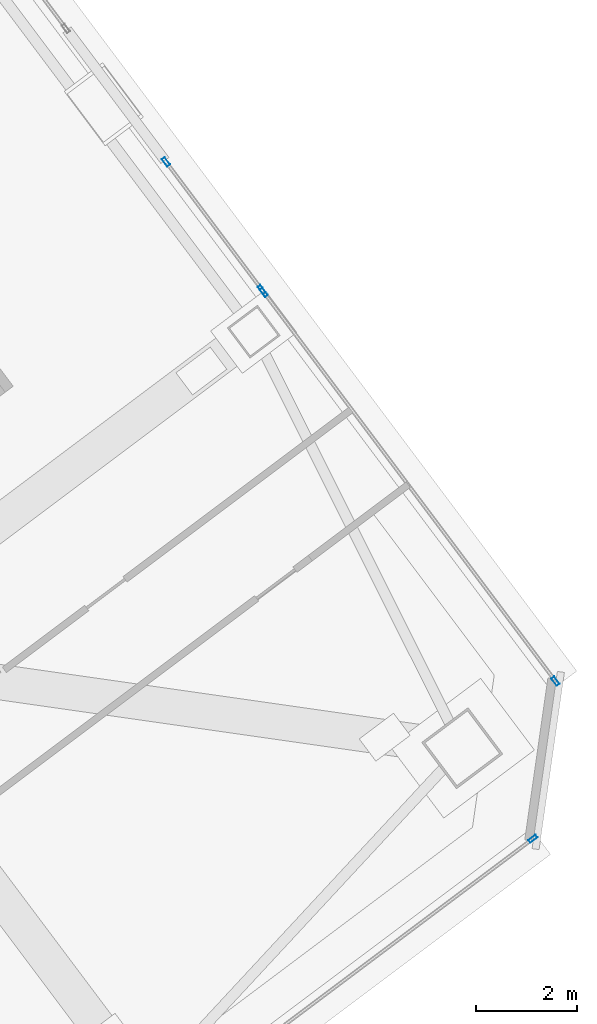
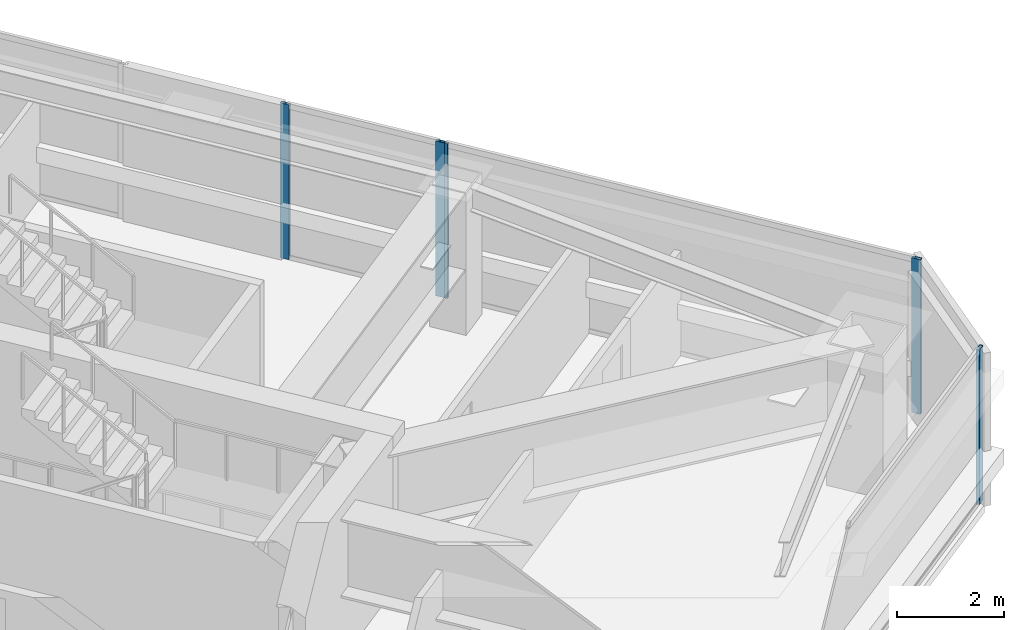
# One storey, part 26 of 42: 5 members, 3 elements without a shape of their own.
"""IFC4 building model written with IfcOpenShell, lengths in metres."""

import ifcopenshell
import ifcopenshell.guid

model = None  # the IFC model being written
_history = None  # IfcOwnerHistory: only IFC2X3 demands one
_inside = {}  # id of a spatial element -> (the spatial element, [elements in it])
_under = {}  # id of a project, library or spatial element -> (it, [spatial elements below it])
_declared = {}  # id of a project -> (the project, [libraries it declares])
_typed = {}  # id of a type object -> (the type object, [elements of that type])
_made_of = {}  # id of a material, layer set ... -> (it, [elements and type objects made of it])


def new_model(schema):
    """Start an empty IFC model of exactly this schema.

    Asked for "IFC4X3", IfcOpenShell would pick the latest addendum, in which some entities
    have other attributes; the version numbers below select the first issue.
    IFC2X3 requires an IfcOwnerHistory on every rooted entity: one is made here for all.
    """
    global model, _history
    if schema == "IFC4X3":
        model = ifcopenshell.file(schema_version=(4, 3, 0, 0))
    else:
        model = ifcopenshell.file(schema=schema)
    _inside.clear()
    _under.clear()
    _declared.clear()
    _typed.clear()
    _made_of.clear()
    _history = None
    if model.schema == "IFC2X3":
        org = make("IfcOrganization", Name="unknown")
        user = make(
            "IfcPersonAndOrganization",
            ThePerson=make("IfcPerson", FamilyName="unknown"),
            TheOrganization=org,
        )
        app = make(
            "IfcApplication",
            ApplicationDeveloper=org,
            Version="unknown",
            ApplicationFullName="unknown",
            ApplicationIdentifier="unknown",
        )
        _history = make(
            "IfcOwnerHistory",
            OwningUser=user,
            OwningApplication=app,
            ChangeAction="ADDED",
            CreationDate=0,
        )
    return model


def make(cls, **values):
    """One entity of the class cls with the attributes given. An attribute that is None is left unset."""
    return model.create_entity(
        cls, **{name: value for name, value in values.items() if value is not None}
    )


def rooted(cls, **values):
    """An entity with a GlobalId (a new one), such as an element, a storey or a relation."""
    return make(cls, GlobalId=ifcopenshell.guid.new(), OwnerHistory=_history, **values)


def si_unit(unit_type, name, prefix=None):
    """IfcSIUnit, for example si_unit("LENGTHUNIT", "METRE", prefix="MILLI")."""
    return make("IfcSIUnit", UnitType=unit_type, Prefix=prefix, Name=name)


def assignment(units):
    """IfcUnitAssignment: the units of a project."""
    return None if units is None else make("IfcUnitAssignment", Units=units)


def point(xyz):
    """IfcCartesianPoint."""
    return None if xyz is None else make("IfcCartesianPoint", Coordinates=xyz)


def direction(xyz):
    """IfcDirection."""
    return None if xyz is None else make("IfcDirection", DirectionRatios=xyz)


def frame(location, z_axis=None, x_axis=None):
    """IfcAxis2Placement3D, a coordinate frame: its origin and axes. An axis left out is left unset."""
    return make(
        "IfcAxis2Placement3D",
        Location=point(location),
        Axis=direction(z_axis),
        RefDirection=direction(x_axis),
    )


def frame_2d(location, x_axis=None):
    """IfcAxis2Placement2D, a coordinate frame in the plane: its origin and x axis."""
    return make(
        "IfcAxis2Placement2D", Location=point(location), RefDirection=direction(x_axis)
    )


def origin():
    """The frame at (0, 0, 0) with its axes left unset."""
    return frame((0.0, 0.0, 0.0))


def origin_2d():
    """The frame at (0, 0) in the plane with its x axis left unset."""
    return frame_2d((0.0, 0.0))


def place(relative_to, where):
    """IfcLocalPlacement: puts the frame where relative to a parent placement (None: the world)."""
    return make(
        "IfcLocalPlacement", PlacementRelTo=relative_to, RelativePlacement=where
    )


def context(
    kind, dimensions, precision=None, world=None, true_north=None, identifier=None
):
    """IfcGeometricRepresentationContext, for example the 3D "Model" context."""
    return make(
        "IfcGeometricRepresentationContext",
        ContextIdentifier=identifier,
        ContextType=kind,
        CoordinateSpaceDimension=dimensions,
        Precision=precision,
        WorldCoordinateSystem=world,
        TrueNorth=true_north,
    )


def subcontext(parent, identifier, kind, view, scale=None):
    """IfcGeometricRepresentationSubContext, for example "Body" below "Model"."""
    return make(
        "IfcGeometricRepresentationSubContext",
        ContextIdentifier=identifier,
        ContextType=kind,
        ParentContext=parent,
        TargetScale=scale,
        TargetView=view,
    )


def project(units=None, contexts=None):
    """IfcProject with its units and contexts."""
    return rooted(
        "IfcProject",
        Name="project",
        RepresentationContexts=contexts,
        UnitsInContext=assignment(units),
    )


def spatial(cls, under=None, at=None, **own):
    """A site, building, storey or space (cls), placed at a placement, below another one or the project."""
    s = rooted(cls, ObjectPlacement=at, **own)
    if under is not None:
        _under.setdefault(under.id(), (under, []))[1].append(s)
    return s


def profile(cls, at=None, kind="AREA", **sizes):
    """A parametric profile (cls). Its sizes go by their IFC names, for example OverallWidth=200.0."""
    return make(cls, ProfileType=kind, Position=at, **sizes)


def hollow_rectangle(**sizes):
    """IfcRectangleHollowProfileDef."""
    return profile("IfcRectangleHollowProfileDef", **sizes)


def extrude(swept, where, along, depth):
    """IfcExtrudedAreaSolid: the profile swept, set in the frame where, extruded along a direction by depth."""
    return make(
        "IfcExtrudedAreaSolid",
        SweptArea=swept,
        Position=where,
        ExtrudedDirection=direction(along),
        Depth=depth,
    )


def shape(context_of_items, identifier, shape_type, items):
    """IfcShapeRepresentation: the items that make up one representation, for example the "Body"."""
    return make(
        "IfcShapeRepresentation",
        ContextOfItems=context_of_items,
        RepresentationIdentifier=identifier,
        RepresentationType=shape_type,
        Items=items,
    )


def material(Name=None, Category=None):
    """IfcMaterial."""
    return make("IfcMaterial", Name=Name, Category=Category)


def material_profile(
    of_material, cross_section, Name=None, Category=None, Priority=None
):
    """IfcMaterialProfile: a cross section and its material."""
    return make(
        "IfcMaterialProfile",
        Name=Name,
        Material=of_material,
        Profile=cross_section,
        Priority=Priority,
        Category=Category,
    )


def profile_set(profiles, Name=None, composite=None):
    """IfcMaterialProfileSet."""
    return make(
        "IfcMaterialProfileSet",
        Name=Name,
        MaterialProfiles=profiles,
        CompositeProfile=composite,
    )


def made_of(thing, what):
    """Note that an element or type object is made of a material, layer set ...; save() writes the relation."""
    if what is not None:
        _made_of.setdefault(what.id(), (what, []))[1].append(thing)
    return thing


def type_object(cls, material=None, **own):
    """A type object (cls), such as IfcWallType, which elements share."""
    return made_of(rooted(cls, **own), material)


def element(
    cls,
    number,
    at=None,
    inside=None,
    cuts=None,
    type_object=None,
    material=None,
    context=None,
    identifier="Body",
    shape_type=None,
    held_by="IfcProductDefinitionShape",
    body=None,
    shapes=None,
    **own,
):
    """One element of the class cls, such as IfcWall. Its Tag is "e" and its number.

    at: its placement. inside: the storey or other place that contains it. cuts: it is an
    opening in that element (IfcRelVoidsElement). A single representation is given by context,
    identifier, shape_type and body (its items); several are given by shapes. held_by: the class
    of the entity that holds the representations. save() writes the other relations.
    """
    e = rooted(cls, Tag="e%d" % number, ObjectPlacement=at, **own)
    if body is not None:
        shapes = [shape(context, identifier, shape_type, body)]
    if shapes is not None:
        e.Representation = make(held_by, Representations=shapes)
    if inside is not None:
        _inside.setdefault(inside.id(), (inside, []))[1].append(e)
    if cuts is not None:
        rooted(
            "IfcRelVoidsElement", RelatingBuildingElement=cuts, RelatedOpeningElement=e
        )
    if type_object is not None:
        _typed.setdefault(type_object.id(), (type_object, []))[1].append(e)
    return made_of(e, material)


def aggregate(whole, parts):
    """IfcRelAggregates: a whole, such as a stair, and the parts it consists of."""
    return rooted("IfcRelAggregates", RelatingObject=whole, RelatedObjects=parts)


def save(model, path):
    """Write the relations noted so far, then the file.

    IfcRelAggregates (storeys below a building ...), IfcRelContainedInSpatialStructure (elements
    in a storey), IfcRelDefinesByType, IfcRelAssociatesMaterial and IfcRelDeclares: one each for
    every whole, place, type object, material and project.
    """
    for whole, parts in _under.values():
        aggregate(whole, parts)
    for where, things in _inside.values():
        rooted(
            "IfcRelContainedInSpatialStructure",
            RelatedElements=things,
            RelatingStructure=where,
        )
    for kind, things in _typed.values():
        rooted("IfcRelDefinesByType", RelatedObjects=things, RelatingType=kind)
    for what, things in _made_of.values():
        rooted("IfcRelAssociatesMaterial", RelatedObjects=things, RelatingMaterial=what)
    for by, libraries in _declared.values():
        rooted("IfcRelDeclares", RelatingContext=by, RelatedDefinitions=libraries)
    model.write(path)


model = new_model("IFC4")

# Units and contexts
model_context = context("Model", 3, precision=1e-05, world=origin(), true_north=direction((0.0, 1.0)))
body_context = subcontext(model_context, "Body", "Model", "MODEL_VIEW")
ifc_project = project(units=[si_unit("LENGTHUNIT", "METRE"), si_unit("AREAUNIT", "SQUARE_METRE"), si_unit("VOLUMEUNIT", "CUBIC_METRE"), si_unit("PLANEANGLEUNIT", "RADIAN"), si_unit("MASSUNIT", "GRAM", prefix="KILO")], contexts=[model_context])

# Site, building, storey
site_placement = place(None, origin())
site = spatial("IfcSite", under=ifc_project, at=site_placement, CompositionType="ELEMENT")
building_placement = place(site_placement, origin())
building = spatial("IfcBuilding", under=site, at=building_placement, Name="Tashvorn Skyway Center", CompositionType="ELEMENT")
storey_placement = place(building_placement, frame((0.0, 0.0, 196.050048828125)))
storey = spatial("IfcBuildingStorey", under=building, at=storey_placement, Name="L53", CompositionType="ELEMENT", Elevation=196.050048828125)

# Curtain wall, member
ifc_material = material(Name="Thermally broken bronze-anodized aluminium 6063-T6", Category="aluminium")
curtain_wall_type = type_object("IfcCurtainWallType", Name="CW-CW-Z4", PredefinedType="NOTDEFINED", material=ifc_material)
curtain_wall_1_placement = place(storey_placement, origin())
curtain_wall_1 = element("IfcCurtainWall", 1, at=curtain_wall_1_placement, inside=storey, type_object=curtain_wall_type, Name="Tower 2 L53 South Unitised Curtain Wall Glazing Group 1", PredefinedType="NOTDEFINED")
ifc_material_profile = material_profile(ifc_material, hollow_rectangle(XDim=0.070068359375, YDim=0.179931640625, WallThickness=0.00390625, at=origin_2d()), Name="ALU-MULL-70x180")
ifc_profile_set = profile_set([ifc_material_profile], Name="Thermally broken bronze-anodized aluminium 6063-T6")
member_type = type_object("IfcMemberType", Name="CWM-CW-Z4", PredefinedType="MULLION", material=ifc_profile_set)
member_1_placement = place(storey_placement, frame((135.7041015625, 27.302978515625, 0.0), z_axis=(0.0, 0.0, 1.0), x_axis=(0.600000000002, -0.799999999998, 0.0)))
member_1 = element("IfcMember", 2, at=member_1_placement, type_object=member_type, Name="CW-Z4 mullion 1", PredefinedType="MULLION", context=body_context, shape_type="SweptSolid", body=[
    extrude(hollow_rectangle(XDim=0.070068359375, YDim=0.179931640625, WallThickness=0.00390625, at=origin_2d()), origin(), (0.0, 0.0, 1.0), 3.550048828125),
])
aggregate(curtain_wall_1, [member_1])

# Curtain wall, members
curtain_wall_2_placement = place(storey_placement, origin())
curtain_wall_2 = element("IfcCurtainWall", 3, at=curtain_wall_2_placement, inside=storey, type_object=curtain_wall_type, Name="Tower 2 L53 East Unitised Curtain Wall Glazing Group 3", PredefinedType="NOTDEFINED")
member_2_placement = place(storey_placement, frame((128.4169921875, 40.743896484375, 0.0), z_axis=(0.0, 0.0, 1.0), x_axis=(0.799999999998, 0.600000000002, 0.0)))
member_2 = element("IfcMember", 4, at=member_2_placement, type_object=member_type, Name="CW-Z4 mullion 1", PredefinedType="MULLION", context=body_context, shape_type="SweptSolid", body=[
    extrude(hollow_rectangle(XDim=0.070068359375, YDim=0.179931640625, WallThickness=0.00390625, at=origin_2d()), origin(), (0.0, 0.0, 1.0), 3.550048828125),
])
member_3_placement = place(storey_placement, frame((130.319091796875, 38.2080078125, 0.0), z_axis=(0.0, 0.0, 1.0), x_axis=(0.799999999998, 0.600000000002, 0.0)))
member_3 = element("IfcMember", 5, at=member_3_placement, type_object=member_type, Name="CW-Z4 mullion 2", PredefinedType="MULLION", context=body_context, shape_type="SweptSolid", body=[
    extrude(hollow_rectangle(XDim=0.070068359375, YDim=0.179931640625, WallThickness=0.00390625, at=origin_2d()), origin(), (0.0, 0.0, 1.0), 3.550048828125),
])
aggregate(curtain_wall_2, [member_2, member_3])

curtain_wall_3_placement = place(storey_placement, origin())
curtain_wall_3 = element("IfcCurtainWall", 6, at=curtain_wall_3_placement, inside=storey, type_object=curtain_wall_type, Name="Tower 2 L53 East Unitised Curtain Wall Glazing Group 4", PredefinedType="NOTDEFINED")
member_4_placement = place(storey_placement, frame((130.361083984375, 38.152099609375, 0.0), z_axis=(0.0, 0.0, 1.0), x_axis=(0.799999999998, 0.600000000002, 0.0)))
member_4 = element("IfcMember", 7, at=member_4_placement, type_object=member_type, Name="CW-Z4 mullion 1", PredefinedType="MULLION", context=body_context, shape_type="SweptSolid", body=[
    extrude(hollow_rectangle(XDim=0.070068359375, YDim=0.179931640625, WallThickness=0.00390625, at=origin_2d()), origin(), (0.0, 0.0, 1.0), 3.550048828125),
])
member_5_placement = place(storey_placement, frame((136.15087890625, 30.431884765625, 0.0), z_axis=(0.0, 0.0, 1.0), x_axis=(0.799999999998, 0.600000000002, 0.0)))
member_5 = element("IfcMember", 8, at=member_5_placement, type_object=member_type, Name="CW-Z4 mullion 2", PredefinedType="MULLION", context=body_context, shape_type="SweptSolid", body=[
    extrude(hollow_rectangle(XDim=0.070068359375, YDim=0.179931640625, WallThickness=0.00390625, at=origin_2d()), origin(), (0.0, 0.0, 1.0), 3.550048828125),
])
aggregate(curtain_wall_3, [member_4, member_5])

save(model, "model.ifc")
